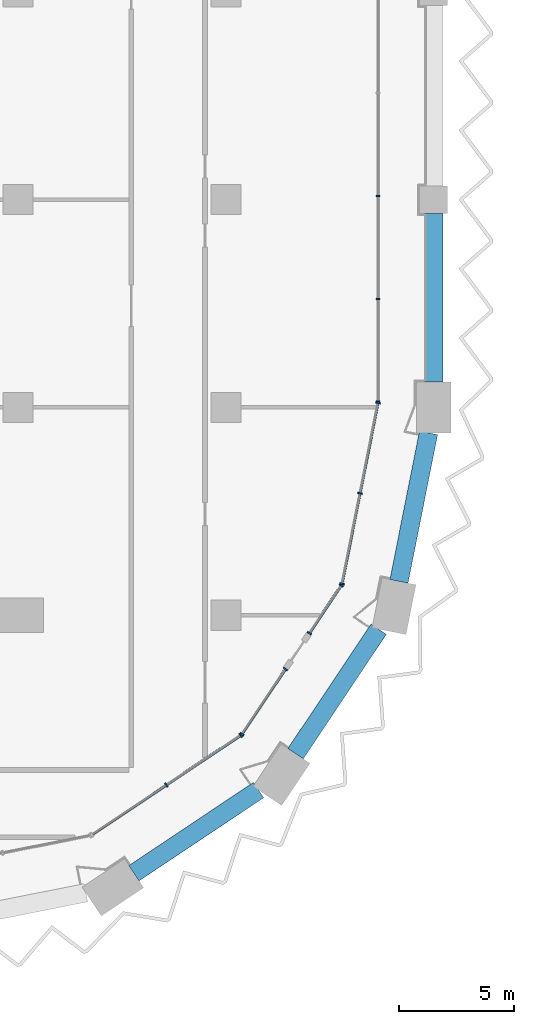
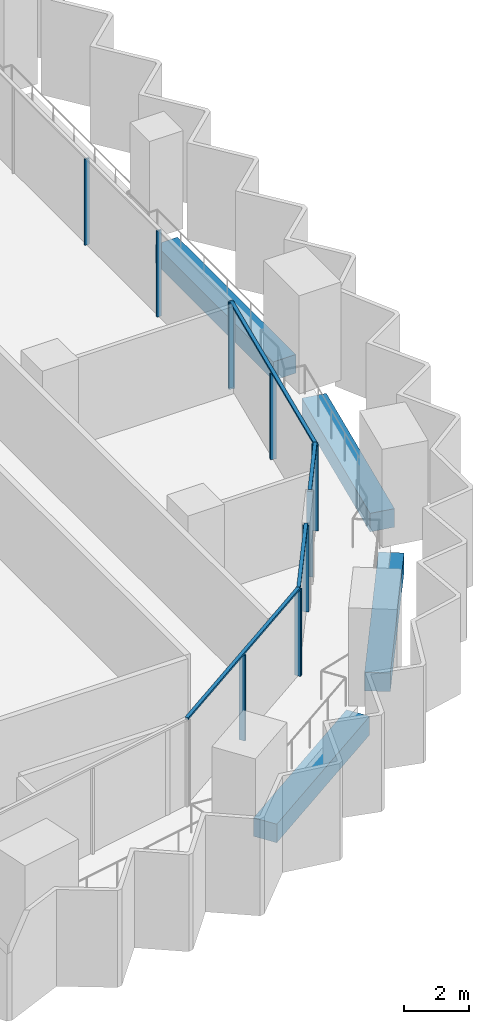
# One storey, part 3 of 23: 16 members, 4 beams, 5 elements without a shape of their own.
"""IFC4 building model written with IfcOpenShell, lengths in metres."""

import ifcopenshell
import ifcopenshell.guid

model = None  # the IFC model being written
_history = None  # IfcOwnerHistory: only IFC2X3 demands one
_inside = {}  # id of a spatial element -> (the spatial element, [elements in it])
_under = {}  # id of a project, library or spatial element -> (it, [spatial elements below it])
_declared = {}  # id of a project -> (the project, [libraries it declares])
_typed = {}  # id of a type object -> (the type object, [elements of that type])
_made_of = {}  # id of a material, layer set ... -> (it, [elements and type objects made of it])


def new_model(schema):
    """Start an empty IFC model of exactly this schema.

    Asked for "IFC4X3", IfcOpenShell would pick the latest addendum, in which some entities
    have other attributes; the version numbers below select the first issue.
    IFC2X3 requires an IfcOwnerHistory on every rooted entity: one is made here for all.
    """
    global model, _history
    if schema == "IFC4X3":
        model = ifcopenshell.file(schema_version=(4, 3, 0, 0))
    else:
        model = ifcopenshell.file(schema=schema)
    _inside.clear()
    _under.clear()
    _declared.clear()
    _typed.clear()
    _made_of.clear()
    _history = None
    if model.schema == "IFC2X3":
        org = make("IfcOrganization", Name="unknown")
        user = make(
            "IfcPersonAndOrganization",
            ThePerson=make("IfcPerson", FamilyName="unknown"),
            TheOrganization=org,
        )
        app = make(
            "IfcApplication",
            ApplicationDeveloper=org,
            Version="unknown",
            ApplicationFullName="unknown",
            ApplicationIdentifier="unknown",
        )
        _history = make(
            "IfcOwnerHistory",
            OwningUser=user,
            OwningApplication=app,
            ChangeAction="ADDED",
            CreationDate=0,
        )
    return model


def make(cls, **values):
    """One entity of the class cls with the attributes given. An attribute that is None is left unset."""
    return model.create_entity(
        cls, **{name: value for name, value in values.items() if value is not None}
    )


def rooted(cls, **values):
    """An entity with a GlobalId (a new one), such as an element, a storey or a relation."""
    return make(cls, GlobalId=ifcopenshell.guid.new(), OwnerHistory=_history, **values)


def si_unit(unit_type, name, prefix=None):
    """IfcSIUnit, for example si_unit("LENGTHUNIT", "METRE", prefix="MILLI")."""
    return make("IfcSIUnit", UnitType=unit_type, Prefix=prefix, Name=name)


def assignment(units):
    """IfcUnitAssignment: the units of a project."""
    return None if units is None else make("IfcUnitAssignment", Units=units)


def point(xyz):
    """IfcCartesianPoint."""
    return None if xyz is None else make("IfcCartesianPoint", Coordinates=xyz)


def direction(xyz):
    """IfcDirection."""
    return None if xyz is None else make("IfcDirection", DirectionRatios=xyz)


def frame(location, z_axis=None, x_axis=None):
    """IfcAxis2Placement3D, a coordinate frame: its origin and axes. An axis left out is left unset."""
    return make(
        "IfcAxis2Placement3D",
        Location=point(location),
        Axis=direction(z_axis),
        RefDirection=direction(x_axis),
    )


def frame_2d(location, x_axis=None):
    """IfcAxis2Placement2D, a coordinate frame in the plane: its origin and x axis."""
    return make(
        "IfcAxis2Placement2D", Location=point(location), RefDirection=direction(x_axis)
    )


def origin():
    """The frame at (0, 0, 0) with its axes left unset."""
    return frame((0.0, 0.0, 0.0))


def origin_2d():
    """The frame at (0, 0) in the plane with its x axis left unset."""
    return frame_2d((0.0, 0.0))


def place(relative_to, where):
    """IfcLocalPlacement: puts the frame where relative to a parent placement (None: the world)."""
    return make(
        "IfcLocalPlacement", PlacementRelTo=relative_to, RelativePlacement=where
    )


def context(
    kind, dimensions, precision=None, world=None, true_north=None, identifier=None
):
    """IfcGeometricRepresentationContext, for example the 3D "Model" context."""
    return make(
        "IfcGeometricRepresentationContext",
        ContextIdentifier=identifier,
        ContextType=kind,
        CoordinateSpaceDimension=dimensions,
        Precision=precision,
        WorldCoordinateSystem=world,
        TrueNorth=true_north,
    )


def subcontext(parent, identifier, kind, view, scale=None):
    """IfcGeometricRepresentationSubContext, for example "Body" below "Model"."""
    return make(
        "IfcGeometricRepresentationSubContext",
        ContextIdentifier=identifier,
        ContextType=kind,
        ParentContext=parent,
        TargetScale=scale,
        TargetView=view,
    )


def project(units=None, contexts=None):
    """IfcProject with its units and contexts."""
    return rooted(
        "IfcProject",
        Name="project",
        RepresentationContexts=contexts,
        UnitsInContext=assignment(units),
    )


def spatial(cls, under=None, at=None, **own):
    """A site, building, storey or space (cls), placed at a placement, below another one or the project."""
    s = rooted(cls, ObjectPlacement=at, **own)
    if under is not None:
        _under.setdefault(under.id(), (under, []))[1].append(s)
    return s


def profile(cls, at=None, kind="AREA", **sizes):
    """A parametric profile (cls). Its sizes go by their IFC names, for example OverallWidth=200.0."""
    return make(cls, ProfileType=kind, Position=at, **sizes)


def rectangle(**sizes):
    """IfcRectangleProfileDef."""
    return profile("IfcRectangleProfileDef", **sizes)


def extrude(swept, where, along, depth):
    """IfcExtrudedAreaSolid: the profile swept, set in the frame where, extruded along a direction by depth."""
    return make(
        "IfcExtrudedAreaSolid",
        SweptArea=swept,
        Position=where,
        ExtrudedDirection=direction(along),
        Depth=depth,
    )


def shape(context_of_items, identifier, shape_type, items):
    """IfcShapeRepresentation: the items that make up one representation, for example the "Body"."""
    return make(
        "IfcShapeRepresentation",
        ContextOfItems=context_of_items,
        RepresentationIdentifier=identifier,
        RepresentationType=shape_type,
        Items=items,
    )


def material(Name=None, Category=None):
    """IfcMaterial."""
    return make("IfcMaterial", Name=Name, Category=Category)


def material_profile(
    of_material, cross_section, Name=None, Category=None, Priority=None
):
    """IfcMaterialProfile: a cross section and its material."""
    return make(
        "IfcMaterialProfile",
        Name=Name,
        Material=of_material,
        Profile=cross_section,
        Priority=Priority,
        Category=Category,
    )


def profile_set(profiles, Name=None, composite=None):
    """IfcMaterialProfileSet."""
    return make(
        "IfcMaterialProfileSet",
        Name=Name,
        MaterialProfiles=profiles,
        CompositeProfile=composite,
    )


def made_of(thing, what):
    """Note that an element or type object is made of a material, layer set ...; save() writes the relation."""
    if what is not None:
        _made_of.setdefault(what.id(), (what, []))[1].append(thing)
    return thing


def type_object(cls, material=None, **own):
    """A type object (cls), such as IfcWallType, which elements share."""
    return made_of(rooted(cls, **own), material)


def element(
    cls,
    number,
    at=None,
    inside=None,
    cuts=None,
    type_object=None,
    material=None,
    context=None,
    identifier="Body",
    shape_type=None,
    held_by="IfcProductDefinitionShape",
    body=None,
    shapes=None,
    **own,
):
    """One element of the class cls, such as IfcWall. Its Tag is "e" and its number.

    at: its placement. inside: the storey or other place that contains it. cuts: it is an
    opening in that element (IfcRelVoidsElement). A single representation is given by context,
    identifier, shape_type and body (its items); several are given by shapes. held_by: the class
    of the entity that holds the representations. save() writes the other relations.
    """
    e = rooted(cls, Tag="e%d" % number, ObjectPlacement=at, **own)
    if body is not None:
        shapes = [shape(context, identifier, shape_type, body)]
    if shapes is not None:
        e.Representation = make(held_by, Representations=shapes)
    if inside is not None:
        _inside.setdefault(inside.id(), (inside, []))[1].append(e)
    if cuts is not None:
        rooted(
            "IfcRelVoidsElement", RelatingBuildingElement=cuts, RelatedOpeningElement=e
        )
    if type_object is not None:
        _typed.setdefault(type_object.id(), (type_object, []))[1].append(e)
    return made_of(e, material)


def aggregate(whole, parts):
    """IfcRelAggregates: a whole, such as a stair, and the parts it consists of."""
    return rooted("IfcRelAggregates", RelatingObject=whole, RelatedObjects=parts)


def save(model, path):
    """Write the relations noted so far, then the file.

    IfcRelAggregates (storeys below a building ...), IfcRelContainedInSpatialStructure (elements
    in a storey), IfcRelDefinesByType, IfcRelAssociatesMaterial and IfcRelDeclares: one each for
    every whole, place, type object, material and project.
    """
    for whole, parts in _under.values():
        aggregate(whole, parts)
    for where, things in _inside.values():
        rooted(
            "IfcRelContainedInSpatialStructure",
            RelatedElements=things,
            RelatingStructure=where,
        )
    for kind, things in _typed.values():
        rooted("IfcRelDefinesByType", RelatedObjects=things, RelatingType=kind)
    for what, things in _made_of.values():
        rooted("IfcRelAssociatesMaterial", RelatedObjects=things, RelatingMaterial=what)
    for by, libraries in _declared.values():
        rooted("IfcRelDeclares", RelatingContext=by, RelatedDefinitions=libraries)
    model.write(path)


model = new_model("IFC4")

# Units and contexts
model_context = context("Model", 3, precision=1e-05, world=origin(), true_north=direction((0.0, 1.0)))
body_context = subcontext(model_context, "Body", "Model", "MODEL_VIEW")
ifc_project = project(units=[si_unit("LENGTHUNIT", "METRE"), si_unit("AREAUNIT", "SQUARE_METRE"), si_unit("VOLUMEUNIT", "CUBIC_METRE"), si_unit("PLANEANGLEUNIT", "RADIAN"), si_unit("MASSUNIT", "GRAM", prefix="KILO")], contexts=[model_context])

# Site, building, storey
site_placement = place(None, origin())
site = spatial("IfcSite", under=ifc_project, at=site_placement, CompositionType="ELEMENT")
building_placement = place(site_placement, origin())
building = spatial("IfcBuilding", under=site, at=building_placement, Name="Hunhe Ridgeline Campus", CompositionType="ELEMENT")
storey_placement = place(building_placement, frame((0.0, 0.0, 99.60009765625)))
storey = spatial("IfcBuildingStorey", under=building, at=storey_placement, Name="L24", CompositionType="ELEMENT", Elevation=99.60009765625)

# Curtain wall, members
ifc_material_1 = material(Name="Aluminium 6063", Category="aluminium")
curtain_wall_type_1 = type_object("IfcCurtainWallType", Name="Curtain wall CW-1", PredefinedType="NOTDEFINED", material=ifc_material_1)
curtain_wall_1_placement = place(storey_placement, origin())
curtain_wall_1 = element("IfcCurtainWall", 1, at=curtain_wall_1_placement, inside=storey, type_object=curtain_wall_type_1, Name="Curtain wall 11", PredefinedType="NOTDEFINED")
ifc_material_profile_1 = material_profile(ifc_material_1, rectangle(XDim=0.159912109375, YDim=0.06005859375, at=origin_2d()))
ifc_profile_set_1 = profile_set([ifc_material_profile_1], Name="Aluminium 6063")
member_type_1 = type_object("IfcMemberType", Name="CW-1 aluminium mullion", PredefinedType="MULLION", material=ifc_profile_set_1)
member_1_placement = place(storey_placement, frame((42.59912109375, 27.266357421875, 0.0), z_axis=(0.0, 0.0, 1.0), x_axis=(-0.99999999994, 1.0947456e-05, 0.0)))
member_1 = element("IfcMember", 2, at=member_1_placement, type_object=member_type_1, Name="CW-1 mullion 1", PredefinedType="MULLION", context=body_context, shape_type="SweptSolid", body=[
    extrude(rectangle(XDim=0.159912109375, YDim=0.06005859375, at=origin_2d()), origin(), (0.0, 0.0, 1.0), 3.239990234375),
])
member_2_placement = place(storey_placement, frame((42.59912109375, 31.697265625, 0.0), z_axis=(0.0, 0.0, 1.0), x_axis=(-0.99999999994, 1.0947456e-05, 0.0)))
member_2 = element("IfcMember", 3, at=member_2_placement, type_object=member_type_1, Name="CW-1 mullion 2", PredefinedType="MULLION", context=body_context, shape_type="SweptSolid", body=[
    extrude(rectangle(XDim=0.159912109375, YDim=0.06005859375, at=origin_2d()), origin(), (0.0, 0.0, 1.0), 3.239990234375),
])
member_3_placement = place(storey_placement, frame((42.59912109375, 36.157958984375, 0.0), z_axis=(0.0, 0.0, 1.0), x_axis=(-0.99999999994, 1.0947456e-05, 0.0)))
member_3 = element("IfcMember", 4, at=member_3_placement, type_object=member_type_1, Name="CW-1 mullion 3", PredefinedType="MULLION", context=body_context, shape_type="SweptSolid", body=[
    extrude(rectangle(XDim=0.159912109375, YDim=0.06005859375, at=origin_2d()), origin(), (0.0, 0.0, 1.0), 3.239990234375),
])
aggregate(curtain_wall_1, [member_1, member_2, member_3])

curtain_wall_type_2 = type_object("IfcCurtainWallType", Name="Curtain wall CW-5", PredefinedType="NOTDEFINED", material=ifc_material_1)
curtain_wall_2_placement = place(storey_placement, origin())
curtain_wall_2 = element("IfcCurtainWall", 5, at=curtain_wall_2_placement, inside=storey, type_object=curtain_wall_type_2, Name="Curtain wall 07", PredefinedType="NOTDEFINED")
ifc_material_profile_2 = material_profile(ifc_material_1, rectangle(XDim=0.199951171875, YDim=0.070068359375, at=origin_2d()))
ifc_profile_set_2 = profile_set([ifc_material_profile_2], Name="Aluminium 6063")
member_type_2 = type_object("IfcMemberType", Name="CW-5 aluminium mullion", PredefinedType="MULLION", material=ifc_profile_set_2)
member_4_placement = place(storey_placement, frame((33.42626953125, 10.647705078125, 0.0), z_axis=(0.0, 0.0, 1.0), x_axis=(-0.555570274596, 0.831469584522, 0.0)))
member_4 = element("IfcMember", 6, at=member_4_placement, type_object=member_type_2, Name="CW-5 mullion 2", PredefinedType="MULLION", context=body_context, shape_type="SweptSolid", body=[
    extrude(rectangle(XDim=0.199951171875, YDim=0.070068359375, at=origin_2d()), origin(), (0.0, 0.0, 1.0), 3.22998046875),
])
member_5_placement = place(storey_placement, frame((36.649658203125, 12.8017578125, 0.0), z_axis=(0.0, 0.0, 1.0), x_axis=(-0.555570274596, 0.831469584522, 0.0)))
member_5 = element("IfcMember", 7, at=member_5_placement, type_object=member_type_2, Name="CW-5 mullion 3", PredefinedType="MULLION", context=body_context, shape_type="SweptSolid", body=[
    extrude(rectangle(XDim=0.199951171875, YDim=0.070068359375, at=origin_2d()), origin(), (0.0, 0.0, 1.0), 3.22998046875),
])

curtain_wall_3_placement = place(storey_placement, origin())
curtain_wall_3 = element("IfcCurtainWall", 8, at=curtain_wall_3_placement, inside=storey, type_object=curtain_wall_type_2, Name="Curtain wall 08", PredefinedType="NOTDEFINED")
member_6_placement = place(storey_placement, frame((36.6982421875, 12.850341796875, 0.0), z_axis=(0.0, 0.0, 1.0), x_axis=(-0.831469595944, 0.555570257501, 0.0)))
member_6 = element("IfcMember", 9, at=member_6_placement, type_object=member_type_2, Name="CW-5 mullion 1", PredefinedType="MULLION", context=body_context, shape_type="SweptSolid", body=[
    extrude(rectangle(XDim=0.199951171875, YDim=0.070068359375, at=origin_2d()), origin(), (0.0, 0.0, 1.0), 3.22998046875),
])
member_7_placement = place(storey_placement, frame((38.582763671875, 15.67041015625, 0.0), z_axis=(0.0, 0.0, 1.0), x_axis=(-0.831469595944, 0.555570257501, 0.0)))
member_7 = element("IfcMember", 10, at=member_7_placement, type_object=member_type_2, Name="CW-5 mullion 2", PredefinedType="MULLION", context=body_context, shape_type="SweptSolid", body=[
    extrude(rectangle(XDim=0.199951171875, YDim=0.070068359375, at=origin_2d()), origin(), (0.0, 0.0, 1.0), 3.22998046875),
])

curtain_wall_4_placement = place(storey_placement, origin())
curtain_wall_4 = element("IfcCurtainWall", 11, at=curtain_wall_4_placement, inside=storey, type_object=curtain_wall_type_2, Name="Curtain wall 09", PredefinedType="NOTDEFINED")
member_8_placement = place(storey_placement, frame((39.62158203125, 17.225341796875, 0.0), z_axis=(0.0, 0.0, 1.0), x_axis=(-0.831469510353, 0.555570385598, 0.0)))
member_8 = element("IfcMember", 12, at=member_8_placement, type_object=member_type_2, Name="CW-5 mullion 1", PredefinedType="MULLION", context=body_context, shape_type="SweptSolid", body=[
    extrude(rectangle(XDim=0.199951171875, YDim=0.070068359375, at=origin_2d()), origin(), (0.0, 0.0, 1.0), 3.22998046875),
])
member_9_placement = place(storey_placement, frame((41.006103515625, 19.29736328125, 0.0), z_axis=(0.0, 0.0, 1.0), x_axis=(-0.831469510353, 0.555570385598, 0.0)))
member_9 = element("IfcMember", 13, at=member_9_placement, type_object=member_type_2, Name="CW-5 mullion 2", PredefinedType="MULLION", context=body_context, shape_type="SweptSolid", body=[
    extrude(rectangle(XDim=0.199951171875, YDim=0.070068359375, at=origin_2d()), origin(), (0.0, 0.0, 1.0), 3.22998046875),
])

curtain_wall_5_placement = place(storey_placement, origin())
curtain_wall_5 = element("IfcCurtainWall", 14, at=curtain_wall_5_placement, inside=storey, type_object=curtain_wall_type_2, Name="Curtain wall 10", PredefinedType="NOTDEFINED")
member_10_placement = place(storey_placement, frame((41.032470703125, 19.36083984375, 0.0), z_axis=(0.0, 0.0, 1.0), x_axis=(-0.980785284939, 0.195090299215, 0.0)))
member_10 = element("IfcMember", 15, at=member_10_placement, type_object=member_type_2, Name="CW-5 mullion 1", PredefinedType="MULLION", context=body_context, shape_type="SweptSolid", body=[
    extrude(rectangle(XDim=0.199951171875, YDim=0.070068359375, at=origin_2d()), origin(), (0.0, 0.0, 1.0), 3.22998046875),
])
member_11_placement = place(storey_placement, frame((41.812255859375, 23.281494140625, 0.0), z_axis=(0.0, 0.0, 1.0), x_axis=(-0.980785284939, 0.195090299215, 0.0)))
member_11 = element("IfcMember", 16, at=member_11_placement, type_object=member_type_2, Name="CW-5 mullion 2", PredefinedType="MULLION", context=body_context, shape_type="SweptSolid", body=[
    extrude(rectangle(XDim=0.199951171875, YDim=0.070068359375, at=origin_2d()), origin(), (0.0, 0.0, 1.0), 3.22998046875),
])
member_12_placement = place(storey_placement, frame((42.59228515625, 27.2021484375, 0.0), z_axis=(0.0, 0.0, 1.0), x_axis=(-0.980785284939, 0.195090299215, 0.0)))
member_12 = element("IfcMember", 17, at=member_12_placement, type_object=member_type_2, Name="CW-5 mullion 3", PredefinedType="MULLION", context=body_context, shape_type="SweptSolid", body=[
    extrude(rectangle(XDim=0.199951171875, YDim=0.070068359375, at=origin_2d()), origin(), (0.0, 0.0, 1.0), 3.22998046875),
])

# Member
ifc_material_profile_3 = material_profile(ifc_material_1, rectangle(XDim=0.1201171875, YDim=0.070068359375, at=origin_2d()))
ifc_profile_set_3 = profile_set([ifc_material_profile_3], Name="Aluminium 6063")
member_type_3 = type_object("IfcMemberType", Name="CW-5 aluminium transom", PredefinedType="USERDEFINED", material=ifc_profile_set_3)
member_13_placement = place(storey_placement, frame((30.173583984375, 8.474365234375, 3.264892578125), z_axis=(0.831473763475, 0.5555640203, 0.0), x_axis=(-0.5555640203, 0.831473763475, 0.0)))
member_13 = element("IfcMember", 18, at=member_13_placement, type_object=member_type_3, Name="CW-5 transom 1", ObjectType="TRANSOM", PredefinedType="USERDEFINED", context=body_context, shape_type="SweptSolid", body=[
    extrude(rectangle(XDim=0.1201171875, YDim=0.070068359375, at=origin_2d()), origin(), (0.0, 0.0, 1.0), 7.823974609375),
])

aggregate(curtain_wall_2, [member_13, member_4, member_5])

member_14_placement = place(storey_placement, frame((36.678955078125, 12.821044921875, 3.264892578125), z_axis=(0.555546133463, 0.831485714606, 0.0), x_axis=(-0.831485714606, 0.555546133463, 0.0)))
member_14 = element("IfcMember", 19, at=member_14_placement, type_object=member_type_3, Name="CW-5 transom 1", ObjectType="TRANSOM", PredefinedType="USERDEFINED", context=body_context, shape_type="SweptSolid", body=[
    extrude(rectangle(XDim=0.1201171875, YDim=0.070068359375, at=origin_2d()), origin(), (0.0, 0.0, 1.0), 3.462158203125),
])

aggregate(curtain_wall_3, [member_14, member_6, member_7])

member_15_placement = place(storey_placement, frame((39.602294921875, 17.1962890625, 3.264892578125), z_axis=(0.555579547735, 0.831463388334, 0.0), x_axis=(-0.831463388334, 0.555579547735, 0.0)))
member_15 = element("IfcMember", 20, at=member_15_placement, type_object=member_type_3, Name="CW-5 transom 1", ObjectType="TRANSOM", PredefinedType="USERDEFINED", context=body_context, shape_type="SweptSolid", body=[
    extrude(rectangle(XDim=0.1201171875, YDim=0.070068359375, at=origin_2d()), origin(), (0.0, 0.0, 1.0), 2.56201171875),
])

aggregate(curtain_wall_4, [member_15, member_8, member_9])

member_16_placement = place(storey_placement, frame((41.025634765625, 19.326416015625, 3.264892578125), z_axis=(0.195097290093, 0.980783894341, 0.0), x_axis=(-0.980783894341, 0.195097290093, 0.0)))
member_16 = element("IfcMember", 21, at=member_16_placement, type_object=member_type_3, Name="CW-5 transom 1", ObjectType="TRANSOM", PredefinedType="USERDEFINED", context=body_context, shape_type="SweptSolid", body=[
    extrude(rectangle(XDim=0.1201171875, YDim=0.070068359375, at=origin_2d()), origin(), (0.0, 0.0, 1.0), 8.065185546875),
])

aggregate(curtain_wall_5, [member_16, member_10, member_11, member_12])

# Beams
ifc_material_2 = material(Name="Concrete C60", Category="concrete")
ifc_material_profile_4 = material_profile(ifc_material_2, rectangle(XDim=0.800048828125, YDim=0.699951171875, at=origin_2d()))
ifc_profile_set_4 = profile_set([ifc_material_profile_4], Name="Concrete C60")
beam_type = type_object("IfcBeamType", Name="RC spandrel beam 800x700 Concrete C60", PredefinedType="SPANDREL", material=ifc_profile_set_4)
for number, where, z_axis, x_axis, name in (
    (22, (32.02490234375, 6.82373046875, -0.60009765625), (0.831459384183, 0.555585540178, 0.0), (-0.555585540178, 0.831459384183, 0.0), "Spandrel beam B1-6 L24"),
    (23, (39.02099609375, 12.004638671875, -0.60009765625), (0.555559527577, 0.831476765351, 0.0), (-0.831476765351, 0.555559527577, 0.0), "Spandrel beam B1-7 L24"),
):
    element("IfcBeam", number, at=place(storey_placement, frame(where, z_axis=z_axis, x_axis=x_axis)), inside=storey, type_object=beam_type, Name=name, PredefinedType="SPANDREL", context=body_context, shape_type="SweptSolid", body=[
        extrude(rectangle(XDim=0.800048828125, YDim=0.699951171875, at=origin_2d()), origin(), (0.0, 0.0, 1.0), 6.488525390625),
    ])
beam_1_placement = place(storey_placement, frame((43.501953125, 19.468505859375, -0.60009765625), z_axis=(0.195092166671, 0.980784913477, 0.0), x_axis=(-0.980784913477, 0.195092166671, 0.0)))
element("IfcBeam", 24, at=beam_1_placement, inside=storey, type_object=beam_type, Name="Spandrel beam B1-8 L24", PredefinedType="SPANDREL", context=body_context, shape_type="SweptSolid", body=[
    extrude(rectangle(XDim=0.800048828125, YDim=0.699951171875, at=origin_2d()), origin(), (0.0, 0.0, 1.0), 6.557373046875),
])
beam_2_placement = place(storey_placement, frame((45.0, 28.10009765625, -0.60009765625), z_axis=(0.0, 1.0, 0.0), x_axis=(-1.0, 0.0, 0.0)))
element("IfcBeam", 25, at=beam_2_placement, inside=storey, type_object=beam_type, Name="Spandrel beam B1-9 L24", PredefinedType="SPANDREL", context=body_context, shape_type="SweptSolid", body=[
    extrude(rectangle(XDim=0.800048828125, YDim=0.699951171875, at=origin_2d()), origin(), (0.0, 0.0, 1.0), 7.2998046875),
])

save(model, "model.ifc")
